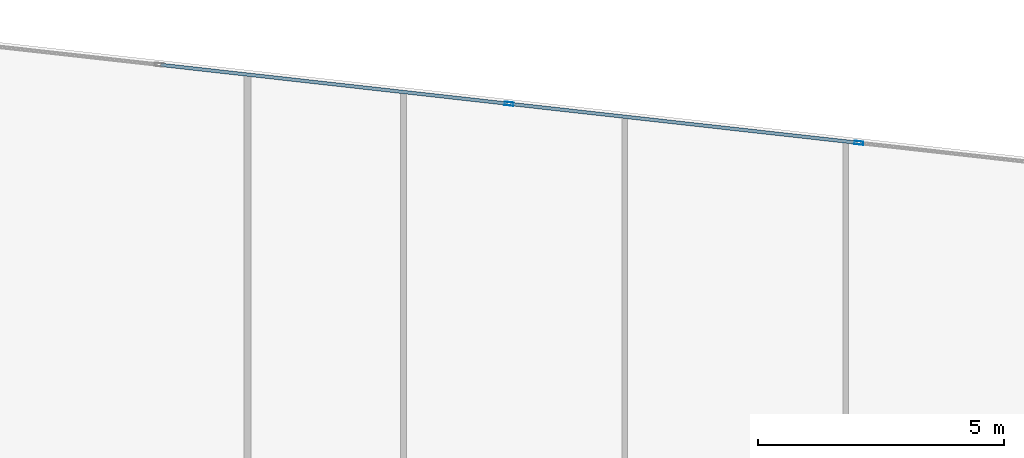
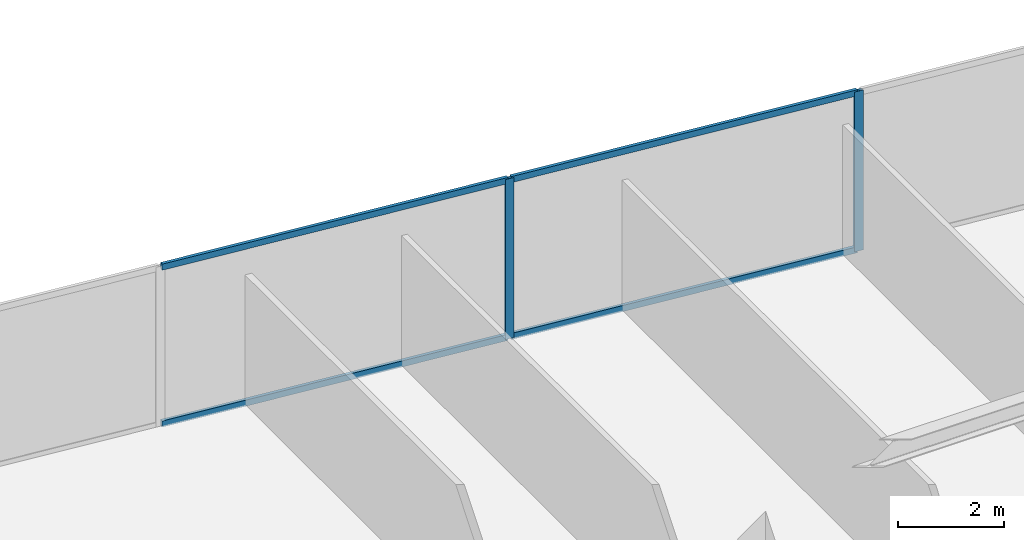
# One storey, part 19 of 28: 6 members, 1 element without a shape of its own.
"""IFC4 building model written with IfcOpenShell, lengths in metres."""

from ifc_helpers import new_model, si_unit, direction, frame, origin, origin_2d, place, context, subcontext, project, spatial, hollow_rectangle, extrude, source, transform, mapped, material, material_profile, profile_set, type_object, type_shapes, element, aggregate, save


model = new_model("IFC4")

# Units and contexts
model_context = context("Model", 3, precision=1e-05, world=origin(), true_north=direction((0.0, 1.0)))
body_context = subcontext(model_context, "Body", "Model", "MODEL_VIEW")
ifc_project = project(units=[si_unit("LENGTHUNIT", "METRE"), si_unit("AREAUNIT", "SQUARE_METRE"), si_unit("VOLUMEUNIT", "CUBIC_METRE"), si_unit("PLANEANGLEUNIT", "RADIAN"), si_unit("MASSUNIT", "GRAM", prefix="KILO")], contexts=[model_context])

# Site, building, storey
site_placement = place(None, origin())
site = spatial("IfcSite", under=ifc_project, at=site_placement, CompositionType="ELEMENT")
building_placement = place(site_placement, origin())
building = spatial("IfcBuilding", under=site, at=building_placement, Name="Krantzveldt Concourse Tower", CompositionType="ELEMENT")
storey_placement = place(building_placement, frame((0.0, 0.0, 64.5)))
storey = spatial("IfcBuildingStorey", under=building, at=storey_placement, Name="L15", CompositionType="ELEMENT", Elevation=64.5)

# Curtain wall, members
ifc_material = material(Name="Anodised aluminium 6063-T6", Category="aluminium")
curtain_wall_type = type_object("IfcCurtainWallType", Name="CW2", PredefinedType="USERDEFINED", material=ifc_material)
curtain_wall_placement = place(storey_placement, origin())
curtain_wall = element("IfcCurtainWall", 1, at=curtain_wall_placement, inside=storey, type_object=curtain_wall_type, Name="CW-L15-F10", ObjectType="UNITISED CURTAIN WALL", PredefinedType="USERDEFINED")
ifc_material_profile_1 = material_profile(ifc_material, hollow_rectangle(XDim=0.070068359375, YDim=0.179931640625, WallThickness=0.0048828125, at=origin_2d()), Name="Anodised aluminium 6063-T6", Category="aluminium")
ifc_profile_set_1 = profile_set([ifc_material_profile_1], Name="Anodised aluminium 6063-T6 - ALU-MULL 180x70x5")
member_type_1 = type_object("IfcMemberType", Name="CW-MUL-180", PredefinedType="MULLION", material=ifc_profile_set_1)
shared_shape_1 = source(origin(), body_context, "Body", "SweptSolid", [
    extrude(hollow_rectangle(XDim=0.070068359375, YDim=0.179931640625, WallThickness=0.0048828125, at=origin_2d()), origin(), (0.0, 0.0, 1.0), 3.669921875),
])
type_shapes(member_type_1, [shared_shape_1])
member_1_placement = place(storey_placement, frame((38.765869140625, 51.4560546875, 0.0), z_axis=(0.0, 0.0, 1.0), x_axis=(-0.111035342863, -0.993816458223, 0.0)))
member_1 = element("IfcMember", 2, at=member_1_placement, type_object=member_type_1, Name="CW-Z12 mullion 4", PredefinedType="MULLION", context=body_context, shape_type="MappedRepresentation", body=[
    mapped(shared_shape_1, transform((0.0, 0.0, 0.0), x_axis=(1.0, 0.0, 0.0), y_axis=(0.0, 1.0, 0.0), z_axis=(0.0, 0.0, 1.0), scale=1.0)),
])
member_2_placement = place(storey_placement, frame((31.6435546875, 52.251708984375, 0.0), z_axis=(0.0, 0.0, 1.0), x_axis=(-0.111035342863, -0.993816458223, 0.0)))
member_2 = element("IfcMember", 3, at=member_2_placement, type_object=member_type_1, Name="CW-Z12 mullion 5", PredefinedType="MULLION", context=body_context, shape_type="MappedRepresentation", body=[
    mapped(shared_shape_1, transform((0.0, 0.0, 0.0), x_axis=(1.0, 0.0, 0.0), y_axis=(0.0, 1.0, 0.0), z_axis=(0.0, 0.0, 1.0), scale=1.0)),
])
ifc_material_profile_2 = material_profile(ifc_material, hollow_rectangle(XDim=0.070068359375, YDim=0.139892578125, WallThickness=0.0048828125, at=origin_2d()), Name="Anodised aluminium 6063-T6", Category="aluminium")
ifc_profile_set_2 = profile_set([ifc_material_profile_2], Name="Anodised aluminium 6063-T6 - ALU-TRAN 140x70x5")
member_type_2 = type_object("IfcMemberType", Name="CW-TRN-150", PredefinedType="USERDEFINED", material=ifc_profile_set_2)
shared_shape_2 = source(origin(), body_context, "Body", "SweptSolid", [
    extrude(hollow_rectangle(XDim=0.070068359375, YDim=0.139892578125, WallThickness=0.0048828125, at=origin_2d()), origin(), (0.0, 0.0, 1.0), 7.0966796875),
])
member_3_placement = place(storey_placement, frame((31.608642578125, 52.255615234375, 0.034912109375), z_axis=(-0.993814737088, 0.111050746722, 0.0), x_axis=(-0.111050746722, -0.993814737088, 0.0)))
member_3 = element("IfcMember", 4, at=member_3_placement, type_object=member_type_2, Name="CW-Z12 transom 5.1", ObjectType="TRANSOM", PredefinedType="USERDEFINED", context=body_context, shape_type="MappedRepresentation", body=[
    mapped(shared_shape_2, transform((0.0, 0.0, 0.0), x_axis=(1.0, 0.0, 0.0), y_axis=(0.0, 1.0, 0.0), z_axis=(0.0, 0.0, 1.0), scale=1.0)),
])
member_4_placement = place(storey_placement, frame((31.608642578125, 52.255615234375, 3.635009765625), z_axis=(-0.993814737088, 0.111050746722, 0.0), x_axis=(-0.111050746722, -0.993814737088, 0.0)))
member_4 = element("IfcMember", 5, at=member_4_placement, type_object=member_type_2, Name="CW-Z12 transom 5.2", ObjectType="TRANSOM", PredefinedType="USERDEFINED", context=body_context, shape_type="MappedRepresentation", body=[
    mapped(shared_shape_2, transform((0.0, 0.0, 0.0), x_axis=(1.0, 0.0, 0.0), y_axis=(0.0, 1.0, 0.0), z_axis=(0.0, 0.0, 1.0), scale=1.0)),
])
shared_shape_3 = source(origin(), body_context, "Body", "SweptSolid", [
    extrude(hollow_rectangle(XDim=0.070068359375, YDim=0.139892578125, WallThickness=0.0048828125, at=origin_2d()), origin(), (0.0, 0.0, 1.0), 7.096923828125),
])
type_shapes(member_type_2, [shared_shape_2, shared_shape_3])
member_5_placement = place(storey_placement, frame((38.731201171875, 51.4599609375, 0.034912109375), z_axis=(-0.993818957275, 0.111012972935, 0.0), x_axis=(-0.111012972935, -0.993818957275, 0.0)))
member_5 = element("IfcMember", 6, at=member_5_placement, type_object=member_type_2, Name="CW-Z12 transom 4.1", ObjectType="TRANSOM", PredefinedType="USERDEFINED", context=body_context, shape_type="MappedRepresentation", body=[
    mapped(shared_shape_3, transform((0.0, 0.0, 0.0), x_axis=(1.0, 0.0, 0.0), y_axis=(0.0, 1.0, 0.0), z_axis=(0.0, 0.0, 1.0), scale=1.0)),
])
member_6_placement = place(storey_placement, frame((38.731201171875, 51.4599609375, 3.635009765625), z_axis=(-0.993818957275, 0.111012972935, 0.0), x_axis=(-0.111012972935, -0.993818957275, 0.0)))
member_6 = element("IfcMember", 7, at=member_6_placement, type_object=member_type_2, Name="CW-Z12 transom 4.2", ObjectType="TRANSOM", PredefinedType="USERDEFINED", context=body_context, shape_type="MappedRepresentation", body=[
    mapped(shared_shape_3, transform((0.0, 0.0, 0.0), x_axis=(1.0, 0.0, 0.0), y_axis=(0.0, 1.0, 0.0), z_axis=(0.0, 0.0, 1.0), scale=1.0)),
])
aggregate(curtain_wall, [member_1, member_2, member_5, member_6, member_3, member_4])

save(model, "model.ifc")
